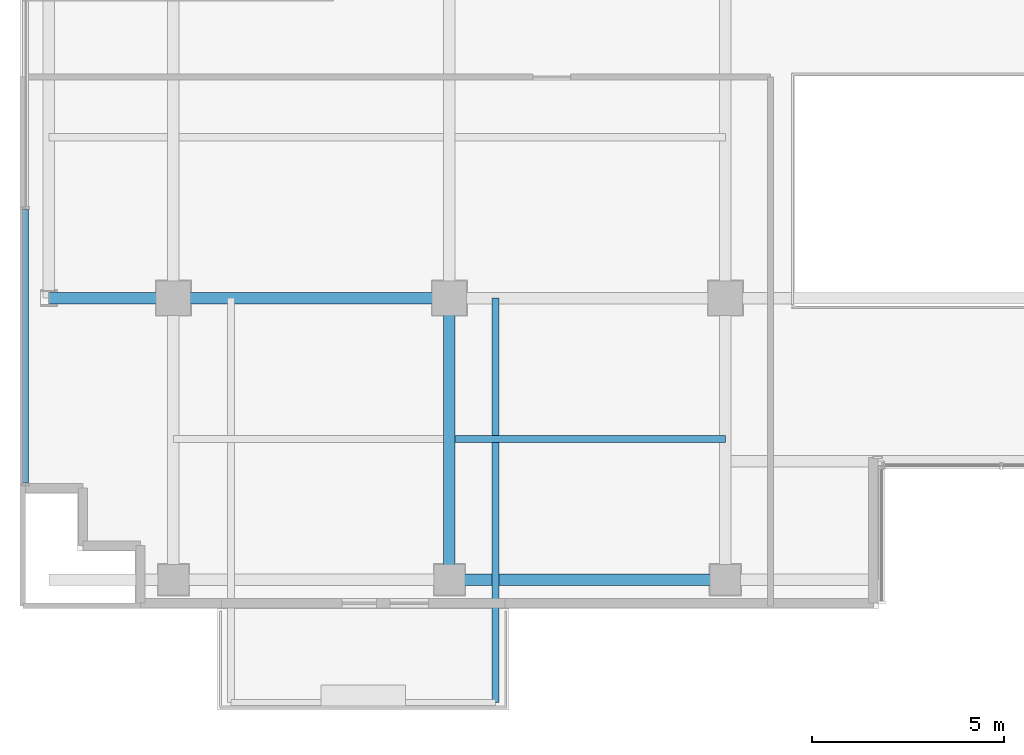
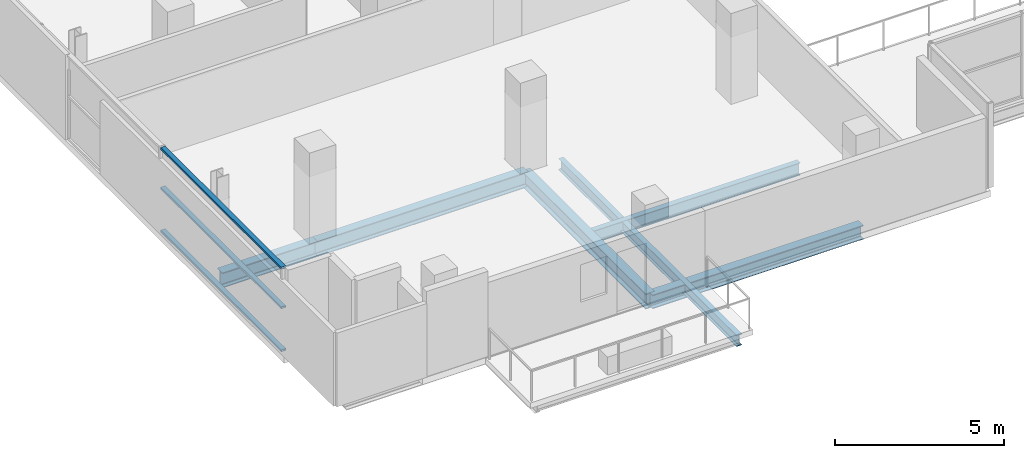
# One storey, part 3 of 24: 6 beams, 3 members, 1 element without a shape of its own.
"""IFC4 building model written with IfcOpenShell, lengths in metres."""

import ifcopenshell
import ifcopenshell.guid

model = None  # the IFC model being written
_history = None  # IfcOwnerHistory: only IFC2X3 demands one
_inside = {}  # id of a spatial element -> (the spatial element, [elements in it])
_under = {}  # id of a project, library or spatial element -> (it, [spatial elements below it])
_declared = {}  # id of a project -> (the project, [libraries it declares])
_typed = {}  # id of a type object -> (the type object, [elements of that type])
_made_of = {}  # id of a material, layer set ... -> (it, [elements and type objects made of it])


def new_model(schema):
    """Start an empty IFC model of exactly this schema.

    Asked for "IFC4X3", IfcOpenShell would pick the latest addendum, in which some entities
    have other attributes; the version numbers below select the first issue.
    IFC2X3 requires an IfcOwnerHistory on every rooted entity: one is made here for all.
    """
    global model, _history
    if schema == "IFC4X3":
        model = ifcopenshell.file(schema_version=(4, 3, 0, 0))
    else:
        model = ifcopenshell.file(schema=schema)
    _inside.clear()
    _under.clear()
    _declared.clear()
    _typed.clear()
    _made_of.clear()
    _history = None
    if model.schema == "IFC2X3":
        org = make("IfcOrganization", Name="unknown")
        user = make(
            "IfcPersonAndOrganization",
            ThePerson=make("IfcPerson", FamilyName="unknown"),
            TheOrganization=org,
        )
        app = make(
            "IfcApplication",
            ApplicationDeveloper=org,
            Version="unknown",
            ApplicationFullName="unknown",
            ApplicationIdentifier="unknown",
        )
        _history = make(
            "IfcOwnerHistory",
            OwningUser=user,
            OwningApplication=app,
            ChangeAction="ADDED",
            CreationDate=0,
        )
    return model


def make(cls, **values):
    """One entity of the class cls with the attributes given. An attribute that is None is left unset."""
    return model.create_entity(
        cls, **{name: value for name, value in values.items() if value is not None}
    )


def rooted(cls, **values):
    """An entity with a GlobalId (a new one), such as an element, a storey or a relation."""
    return make(cls, GlobalId=ifcopenshell.guid.new(), OwnerHistory=_history, **values)


def si_unit(unit_type, name, prefix=None):
    """IfcSIUnit, for example si_unit("LENGTHUNIT", "METRE", prefix="MILLI")."""
    return make("IfcSIUnit", UnitType=unit_type, Prefix=prefix, Name=name)


def assignment(units):
    """IfcUnitAssignment: the units of a project."""
    return None if units is None else make("IfcUnitAssignment", Units=units)


def point(xyz):
    """IfcCartesianPoint."""
    return None if xyz is None else make("IfcCartesianPoint", Coordinates=xyz)


def direction(xyz):
    """IfcDirection."""
    return None if xyz is None else make("IfcDirection", DirectionRatios=xyz)


def frame(location, z_axis=None, x_axis=None):
    """IfcAxis2Placement3D, a coordinate frame: its origin and axes. An axis left out is left unset."""
    return make(
        "IfcAxis2Placement3D",
        Location=point(location),
        Axis=direction(z_axis),
        RefDirection=direction(x_axis),
    )


def frame_2d(location, x_axis=None):
    """IfcAxis2Placement2D, a coordinate frame in the plane: its origin and x axis."""
    return make(
        "IfcAxis2Placement2D", Location=point(location), RefDirection=direction(x_axis)
    )


def origin():
    """The frame at (0, 0, 0) with its axes left unset."""
    return frame((0.0, 0.0, 0.0))


def origin_2d():
    """The frame at (0, 0) in the plane with its x axis left unset."""
    return frame_2d((0.0, 0.0))


def place(relative_to, where):
    """IfcLocalPlacement: puts the frame where relative to a parent placement (None: the world)."""
    return make(
        "IfcLocalPlacement", PlacementRelTo=relative_to, RelativePlacement=where
    )


def context(
    kind, dimensions, precision=None, world=None, true_north=None, identifier=None
):
    """IfcGeometricRepresentationContext, for example the 3D "Model" context."""
    return make(
        "IfcGeometricRepresentationContext",
        ContextIdentifier=identifier,
        ContextType=kind,
        CoordinateSpaceDimension=dimensions,
        Precision=precision,
        WorldCoordinateSystem=world,
        TrueNorth=true_north,
    )


def subcontext(parent, identifier, kind, view, scale=None):
    """IfcGeometricRepresentationSubContext, for example "Body" below "Model"."""
    return make(
        "IfcGeometricRepresentationSubContext",
        ContextIdentifier=identifier,
        ContextType=kind,
        ParentContext=parent,
        TargetScale=scale,
        TargetView=view,
    )


def project(units=None, contexts=None):
    """IfcProject with its units and contexts."""
    return rooted(
        "IfcProject",
        Name="project",
        RepresentationContexts=contexts,
        UnitsInContext=assignment(units),
    )


def spatial(cls, under=None, at=None, **own):
    """A site, building, storey or space (cls), placed at a placement, below another one or the project."""
    s = rooted(cls, ObjectPlacement=at, **own)
    if under is not None:
        _under.setdefault(under.id(), (under, []))[1].append(s)
    return s


def profile(cls, at=None, kind="AREA", **sizes):
    """A parametric profile (cls). Its sizes go by their IFC names, for example OverallWidth=200.0."""
    return make(cls, ProfileType=kind, Position=at, **sizes)


def hollow_rectangle(**sizes):
    """IfcRectangleHollowProfileDef."""
    return profile("IfcRectangleHollowProfileDef", **sizes)


def i_section(**sizes):
    """IfcIShapeProfileDef."""
    return profile("IfcIShapeProfileDef", **sizes)


def extrude(swept, where, along, depth):
    """IfcExtrudedAreaSolid: the profile swept, set in the frame where, extruded along a direction by depth."""
    return make(
        "IfcExtrudedAreaSolid",
        SweptArea=swept,
        Position=where,
        ExtrudedDirection=direction(along),
        Depth=depth,
    )


def shape(context_of_items, identifier, shape_type, items):
    """IfcShapeRepresentation: the items that make up one representation, for example the "Body"."""
    return make(
        "IfcShapeRepresentation",
        ContextOfItems=context_of_items,
        RepresentationIdentifier=identifier,
        RepresentationType=shape_type,
        Items=items,
    )


def source(mapping_origin, context_of_items, identifier, shape_type, items):
    """IfcRepresentationMap: a shape defined once, which mapped items show again and again."""
    return make(
        "IfcRepresentationMap",
        MappingOrigin=mapping_origin,
        MappedRepresentation=shape(context_of_items, identifier, shape_type, items),
    )


def transform(
    local_origin,
    x_axis=None,
    y_axis=None,
    z_axis=None,
    scale=None,
    scale2=None,
    scale3=None,
    uniform=True,
):
    """IfcCartesianTransformationOperator3D, or its non-uniform kind. x_axis, y_axis, z_axis: its Axis1, 2, 3."""
    if uniform:
        return make(
            "IfcCartesianTransformationOperator3D",
            Axis1=direction(x_axis),
            Axis2=direction(y_axis),
            LocalOrigin=point(local_origin),
            Scale=scale,
            Axis3=direction(z_axis),
        )
    return make(
        "IfcCartesianTransformationOperator3DnonUniform",
        Axis1=direction(x_axis),
        Axis2=direction(y_axis),
        LocalOrigin=point(local_origin),
        Scale=scale,
        Axis3=direction(z_axis),
        Scale2=scale2,
        Scale3=scale3,
    )


def mapped(mapping_source, mapping_target):
    """IfcMappedItem: shows the shape of a source again, moved by a transform."""
    return make(
        "IfcMappedItem", MappingSource=mapping_source, MappingTarget=mapping_target
    )


def material(Name=None, Category=None):
    """IfcMaterial."""
    return make("IfcMaterial", Name=Name, Category=Category)


def layer(
    of_material, thickness, ventilated=None, Name=None, Category=None, Priority=None
):
    """IfcMaterialLayer: one layer of a wall or slab, of a material (None: an air gap)."""
    return make(
        "IfcMaterialLayer",
        Material=of_material,
        LayerThickness=thickness,
        IsVentilated=ventilated,
        Name=Name,
        Category=Category,
        Priority=Priority,
    )


def layer_set(layers, Name=None):
    """IfcMaterialLayerSet."""
    return make("IfcMaterialLayerSet", MaterialLayers=layers, LayerSetName=Name)


def material_profile(
    of_material, cross_section, Name=None, Category=None, Priority=None
):
    """IfcMaterialProfile: a cross section and its material."""
    return make(
        "IfcMaterialProfile",
        Name=Name,
        Material=of_material,
        Profile=cross_section,
        Priority=Priority,
        Category=Category,
    )


def profile_set(profiles, Name=None, composite=None):
    """IfcMaterialProfileSet."""
    return make(
        "IfcMaterialProfileSet",
        Name=Name,
        MaterialProfiles=profiles,
        CompositeProfile=composite,
    )


def made_of(thing, what):
    """Note that an element or type object is made of a material, layer set ...; save() writes the relation."""
    if what is not None:
        _made_of.setdefault(what.id(), (what, []))[1].append(thing)
    return thing


def type_object(cls, material=None, **own):
    """A type object (cls), such as IfcWallType, which elements share."""
    return made_of(rooted(cls, **own), material)


def element(
    cls,
    number,
    at=None,
    inside=None,
    cuts=None,
    type_object=None,
    material=None,
    context=None,
    identifier="Body",
    shape_type=None,
    held_by="IfcProductDefinitionShape",
    body=None,
    shapes=None,
    **own,
):
    """One element of the class cls, such as IfcWall. Its Tag is "e" and its number.

    at: its placement. inside: the storey or other place that contains it. cuts: it is an
    opening in that element (IfcRelVoidsElement). A single representation is given by context,
    identifier, shape_type and body (its items); several are given by shapes. held_by: the class
    of the entity that holds the representations. save() writes the other relations.
    """
    e = rooted(cls, Tag="e%d" % number, ObjectPlacement=at, **own)
    if body is not None:
        shapes = [shape(context, identifier, shape_type, body)]
    if shapes is not None:
        e.Representation = make(held_by, Representations=shapes)
    if inside is not None:
        _inside.setdefault(inside.id(), (inside, []))[1].append(e)
    if cuts is not None:
        rooted(
            "IfcRelVoidsElement", RelatingBuildingElement=cuts, RelatedOpeningElement=e
        )
    if type_object is not None:
        _typed.setdefault(type_object.id(), (type_object, []))[1].append(e)
    return made_of(e, material)


def aggregate(whole, parts):
    """IfcRelAggregates: a whole, such as a stair, and the parts it consists of."""
    return rooted("IfcRelAggregates", RelatingObject=whole, RelatedObjects=parts)


def save(model, path):
    """Write the relations noted so far, then the file.

    IfcRelAggregates (storeys below a building ...), IfcRelContainedInSpatialStructure (elements
    in a storey), IfcRelDefinesByType, IfcRelAssociatesMaterial and IfcRelDeclares: one each for
    every whole, place, type object, material and project.
    """
    for whole, parts in _under.values():
        aggregate(whole, parts)
    for where, things in _inside.values():
        rooted(
            "IfcRelContainedInSpatialStructure",
            RelatedElements=things,
            RelatingStructure=where,
        )
    for kind, things in _typed.values():
        rooted("IfcRelDefinesByType", RelatedObjects=things, RelatingType=kind)
    for what, things in _made_of.values():
        rooted("IfcRelAssociatesMaterial", RelatedObjects=things, RelatingMaterial=what)
    for by, libraries in _declared.values():
        rooted("IfcRelDeclares", RelatingContext=by, RelatedDefinitions=libraries)
    model.write(path)


model = new_model("IFC4")

# Units and contexts
model_context = context("Model", 3, precision=1e-05, world=origin(), true_north=direction((0.0, 1.0)))
body_context = subcontext(model_context, "Body", "Model", "MODEL_VIEW")
ifc_project = project(units=[si_unit("LENGTHUNIT", "METRE"), si_unit("AREAUNIT", "SQUARE_METRE"), si_unit("VOLUMEUNIT", "CUBIC_METRE"), si_unit("PLANEANGLEUNIT", "RADIAN"), si_unit("MASSUNIT", "GRAM", prefix="KILO")], contexts=[model_context])

# Site, building, storey
site_placement = place(None, origin())
site = spatial("IfcSite", under=ifc_project, at=site_placement, CompositionType="ELEMENT")
building_placement = place(site_placement, origin())
building = spatial("IfcBuilding", under=site, at=building_placement, Name="Zarnakvel Exchange Tower", CompositionType="ELEMENT")
storey_placement = place(building_placement, frame((0.0, 0.0, 133.0)))
storey = spatial("IfcBuildingStorey", under=building, at=storey_placement, Name="L37", CompositionType="ELEMENT", Elevation=133.0)

# Beams
ifc_material_1 = material(Name="Steel S355", Category="steel")
ifc_material_profile_1 = material_profile(ifc_material_1, i_section(OverallWidth=0.18994140625, OverallDepth=0.449951171875, WebThickness=0.009521484375, FlangeThickness=0.0146484375, FilletRadius=0.02099609375, at=origin_2d()))
ifc_profile_set_1 = profile_set([ifc_material_profile_1], Name="Steel S355")
beam_type_1 = type_object("IfcBeamType", Name="B-05", PredefinedType="JOIST", material=ifc_profile_set_1)
beam_1_placement = place(storey_placement, frame((-14.25, -13.27490234375, -0.449951171875), z_axis=(1.0, 0.0, 0.0), x_axis=(0.0, 1.0, 0.0)))
element("IfcBeam", 1, at=beam_1_placement, inside=storey, type_object=beam_type_1, Name="L37 Composite Floor Secondary Joist", PredefinedType="JOIST", context=body_context, shape_type="SweptSolid", body=[
    extrude(i_section(OverallWidth=0.18994140625, OverallDepth=0.449951171875, WebThickness=0.009521484375, FlangeThickness=0.0146484375, FilletRadius=0.02099609375, at=origin_2d()), origin(), (0.0, 0.0, 1.0), 7.050048828125),
])
ifc_material_profile_2 = material_profile(ifc_material_1, i_section(OverallWidth=0.179931640625, OverallDepth=0.39990234375, WebThickness=0.008544921875, FlangeThickness=0.013427734375, FilletRadius=0.02099609375, at=origin_2d()))
ifc_profile_set_2 = profile_set([ifc_material_profile_2], Name="Steel S355")
beam_type_2 = type_object("IfcBeamType", Name="B-06", PredefinedType="JOIST", material=ifc_profile_set_2)
beam_2_placement = place(storey_placement, frame((-13.199951171875, -9.60009765625, -0.425048828125), z_axis=(0.0, -1.0, 0.0), x_axis=(1.0, 0.0, 0.0)))
element("IfcBeam", 2, at=beam_2_placement, inside=storey, type_object=beam_type_2, Name="L37 Continuous Back-Spanned Balcony Beam E", PredefinedType="JOIST", context=body_context, shape_type="SweptSolid", body=[
    extrude(i_section(OverallWidth=0.179931640625, OverallDepth=0.39990234375, WebThickness=0.008544921875, FlangeThickness=0.013427734375, FilletRadius=0.02099609375, at=origin_2d()), origin(), (0.0, 0.0, 1.0), 10.5498046875),
])
ifc_material_profile_3 = material_profile(ifc_material_1, i_section(OverallWidth=0.300048828125, OverallDepth=0.550048828125, WebThickness=0.014892578125, FlangeThickness=0.029052734375, FilletRadius=0.027099609375, at=origin_2d()))
ifc_profile_set_3 = profile_set([ifc_material_profile_3], Name="Steel S355")
beam_type_3 = type_object("IfcBeamType", Name="G-05", PredefinedType="BEAM", material=ifc_profile_set_3)
beam_3_placement = place(storey_placement, frame((-24.85009765625, -9.60009765625, -0.5), z_axis=(1.0, 0.0, 0.0), x_axis=(0.0, 1.0, 0.0)))
element("IfcBeam", 3, at=beam_3_placement, inside=storey, type_object=beam_type_3, Name="L37 Tower E-W Frame Beam", PredefinedType="BEAM", context=body_context, shape_type="SweptSolid", body=[
    extrude(i_section(OverallWidth=0.300048828125, OverallDepth=0.550048828125, WebThickness=0.014892578125, FlangeThickness=0.029052734375, FilletRadius=0.027099609375, at=origin_2d()), origin(), (0.0, 0.0, 1.0), 3.25),
])
beam_4_placement = place(storey_placement, frame((-21.60009765625, -9.60009765625, -0.5), z_axis=(1.0, 0.0, 0.0), x_axis=(0.0, 1.0, 0.0)))
element("IfcBeam", 4, at=beam_4_placement, inside=storey, type_object=beam_type_3, Name="L37 Tower E-W Frame Beam", PredefinedType="BEAM", context=body_context, shape_type="SweptSolid", body=[
    extrude(i_section(OverallWidth=0.300048828125, OverallDepth=0.550048828125, WebThickness=0.014892578125, FlangeThickness=0.029052734375, FilletRadius=0.027099609375, at=origin_2d()), origin(), (0.0, 0.0, 1.0), 7.2001953125),
])
beam_5_placement = place(storey_placement, frame((-14.39990234375, -16.949951171875, -0.5), z_axis=(0.0, 1.0, 0.0), x_axis=(-1.0, 0.0, 0.0)))
element("IfcBeam", 5, at=beam_5_placement, inside=storey, type_object=beam_type_3, Name="L37 Tower N-S Frame Beam", PredefinedType="BEAM", context=body_context, shape_type="SweptSolid", body=[
    extrude(i_section(OverallWidth=0.300048828125, OverallDepth=0.550048828125, WebThickness=0.014892578125, FlangeThickness=0.029052734375, FilletRadius=0.027099609375, at=origin_2d()), origin(), (0.0, 0.0, 1.0), 7.349853515625),
])
ifc_material_profile_4 = material_profile(ifc_material_1, i_section(OverallWidth=0.300048828125, OverallDepth=0.5, WebThickness=0.014404296875, FlangeThickness=0.028076171875, FilletRadius=0.027099609375, at=origin_2d()))
ifc_profile_set_4 = profile_set([ifc_material_profile_4], Name="Steel S355")
beam_type_4 = type_object("IfcBeamType", Name="SP-02", PredefinedType="SPANDREL", material=ifc_profile_set_4)
beam_6_placement = place(storey_placement, frame((-14.39990234375, -16.949951171875, -0.47509765625), z_axis=(1.0, 0.0, 0.0), x_axis=(0.0, 1.0, 0.0)))
element("IfcBeam", 6, at=beam_6_placement, inside=storey, type_object=beam_type_4, Name="L37 Tower E-W Frame Beam", PredefinedType="SPANDREL", context=body_context, shape_type="SweptSolid", body=[
    extrude(i_section(OverallWidth=0.300048828125, OverallDepth=0.5, WebThickness=0.014404296875, FlangeThickness=0.028076171875, FilletRadius=0.027099609375, at=origin_2d()), origin(), (0.0, 0.0, 1.0), 7.199951171875),
])

# Curtain wall, members
ifc_material_2 = material(Name="Architectural Bronze Anodised Aluminium", Category="aluminium")
ifc_layer = layer(ifc_material_2, 0.199951171875)
ifc_layer_set = layer_set([ifc_layer], Name="Architectural Bronze Anodised Aluminium")
curtain_wall_type = type_object("IfcCurtainWallType", Name="CW-04", PredefinedType="NOTDEFINED", material=ifc_layer_set)
curtain_wall_placement = place(storey_placement, origin())
curtain_wall = element("IfcCurtainWall", 7, at=curtain_wall_placement, inside=storey, type_object=curtain_wall_type, Name="L37 Curtain Wall CW-L37-W1 (CW-04)", PredefinedType="NOTDEFINED")
ifc_material_profile_5 = material_profile(ifc_material_2, hollow_rectangle(XDim=0.159912109375, YDim=0.074951171875, WallThickness=0.00390625, at=origin_2d()))
ifc_profile_set_5 = profile_set([ifc_material_profile_5], Name="Architectural Bronze Anodised Aluminium")
member_type = type_object("IfcMemberType", Name="CWT-04", PredefinedType="USERDEFINED", material=ifc_profile_set_5)
shared_shape = source(origin(), body_context, "Body", "SweptSolid", [
    extrude(hollow_rectangle(XDim=0.159912109375, YDim=0.074951171875, WallThickness=0.00390625, at=origin_2d()), origin(), (0.0, 0.0, 1.0), 7.137451171875),
])
member_1_placement = place(storey_placement, frame((-25.4599609375, -14.425048828125, 0.03759765625), z_axis=(0.0, 1.0, 0.0), x_axis=(-1.0, 0.0, 0.0)))
member_1 = element("IfcMember", 8, at=member_1_placement, type_object=member_type, Name="CW-04 transom 1.1", ObjectType="TRANSOM", PredefinedType="USERDEFINED", context=body_context, shape_type="MappedRepresentation", body=[
    mapped(shared_shape, transform((0.0, 0.0, 0.0), x_axis=(1.0, 0.0, 0.0), y_axis=(0.0, 1.0, 0.0), z_axis=(0.0, 0.0, 1.0), scale=1.0)),
])
member_2_placement = place(storey_placement, frame((-25.4599609375, -14.425048828125, 1.588623046875), z_axis=(0.0, 1.0, 0.0), x_axis=(-1.0, 0.0, 0.0)))
member_2 = element("IfcMember", 9, at=member_2_placement, type_object=member_type, Name="CW-04 transom 1.2", ObjectType="TRANSOM", PredefinedType="USERDEFINED", context=body_context, shape_type="MappedRepresentation", body=[
    mapped(shared_shape, transform((0.0, 0.0, 0.0), x_axis=(1.0, 0.0, 0.0), y_axis=(0.0, 1.0, 0.0), z_axis=(0.0, 0.0, 1.0), scale=1.0)),
])
member_3_placement = place(storey_placement, frame((-25.4599609375, -14.425048828125, 3.017578125), z_axis=(0.0, 1.0, 0.0), x_axis=(-1.0, 0.0, 0.0)))
member_3 = element("IfcMember", 10, at=member_3_placement, type_object=member_type, Name="CW-04 transom 1.3", ObjectType="TRANSOM", PredefinedType="USERDEFINED", context=body_context, shape_type="MappedRepresentation", body=[
    mapped(shared_shape, transform((0.0, 0.0, 0.0), x_axis=(1.0, 0.0, 0.0), y_axis=(0.0, 1.0, 0.0), z_axis=(0.0, 0.0, 1.0), scale=1.0)),
])
aggregate(curtain_wall, [member_1, member_2, member_3])

save(model, "model.ifc")
